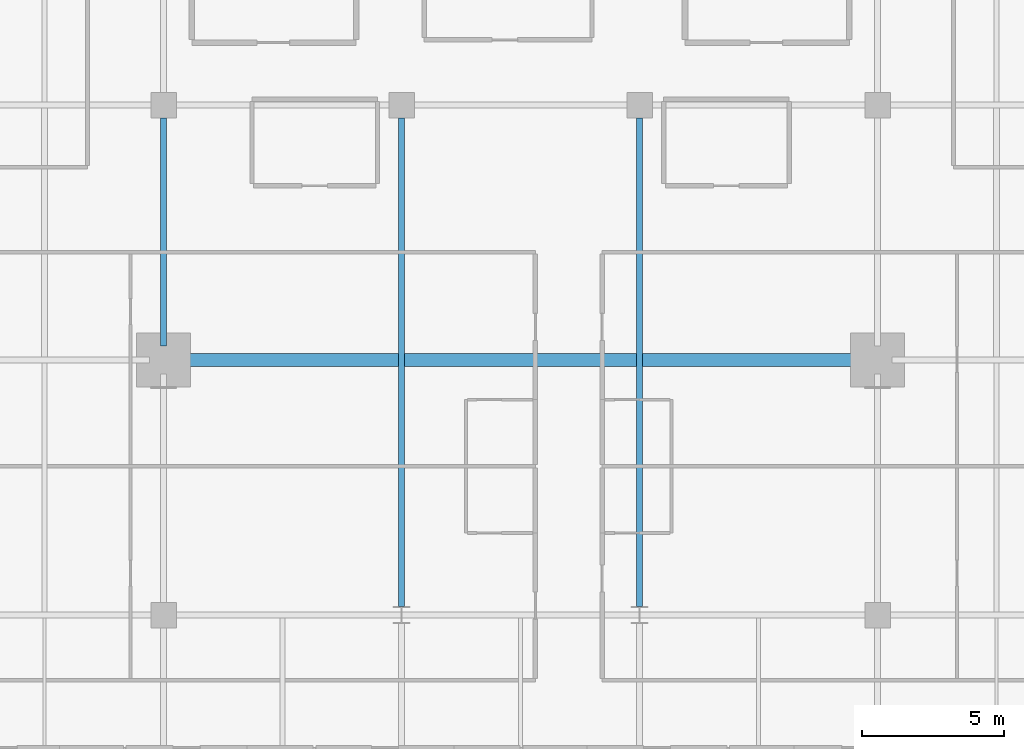
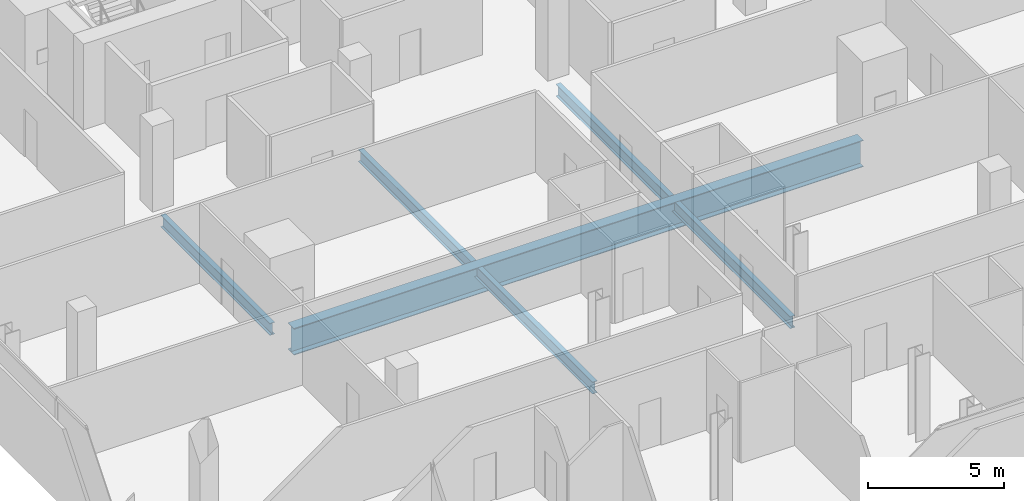
# One storey, part 11 of 33: 4 beams.
"""IFC4 building model written with IfcOpenShell, lengths in metres."""

from ifc_helpers import new_model, si_unit, direction, frame, origin, origin_2d, place, context, subcontext, project, spatial, i_section, extrude, material, material_profile, profile_set, type_object, element, save


model = new_model("IFC4")

# Units and contexts
model_context = context("Model", 3, precision=1e-05, world=origin(), true_north=direction((0.0, 1.0)))
body_context = subcontext(model_context, "Body", "Model", "MODEL_VIEW")
ifc_project = project(units=[si_unit("LENGTHUNIT", "METRE"), si_unit("AREAUNIT", "SQUARE_METRE"), si_unit("VOLUMEUNIT", "CUBIC_METRE"), si_unit("PLANEANGLEUNIT", "RADIAN"), si_unit("MASSUNIT", "GRAM", prefix="KILO")], contexts=[model_context])

# Site, building, storey
site_placement = place(None, origin())
site = spatial("IfcSite", under=ifc_project, at=site_placement, CompositionType="ELEMENT")
building_placement = place(site_placement, origin())
building = spatial("IfcBuilding", under=site, at=building_placement, Name="Maruvema Waterfront Hotel and Observation Tower", CompositionType="ELEMENT")
storey_placement = place(building_placement, frame((0.0, 0.0, 196.699951171875)))
storey = spatial("IfcBuildingStorey", under=building, at=storey_placement, Name="L48", CompositionType="ELEMENT", Elevation=196.699951171875)

# Beams
ifc_material_1 = material(Name="Steel ASTM A572 Grade 50", Category="steel")
ifc_material_profile_1 = material_profile(ifc_material_1, i_section(OverallWidth=0.2109375, OverallDepth=0.5390625, WebThickness=0.01171875, FlangeThickness=0.018798828125, FilletRadius=0.014892578125, at=origin_2d()), Name="W530x109.0")
ifc_profile_set_1 = profile_set([ifc_material_profile_1], Name="Steel ASTM A572 Grade 50")
beam_type_1 = type_object("IfcBeamType", Name="Primary Floor Girder W530x109.0", PredefinedType="BEAM", material=ifc_profile_set_1)
beam_1_placement = place(storey_placement, frame((25.199951171875, 27.5, -0.509521484375), z_axis=(0.0, 1.0, 0.0), x_axis=(-1.0, 0.0, 0.0)))
element("IfcBeam", 1, at=beam_1_placement, inside=storey, type_object=beam_type_1, Name="L48 Floor Girder NS-12", PredefinedType="BEAM", context=body_context, shape_type="SweptSolid", body=[
    extrude(i_section(OverallWidth=0.2109375, OverallDepth=0.5390625, WebThickness=0.01171875, FlangeThickness=0.018798828125, FilletRadius=0.014892578125, at=origin_2d()), origin(), (0.0, 0.0, 1.0), 8.050048828125),
])
for number, where, z_axis, x_axis, name in (
    (2, (33.60009765625, 18.300048828125, -0.509521484375), (0.0, 1.0, 0.0), (-1.0, 0.0, 0.0), "L48 Floor Girder NS-16"),
    (3, (42.0, 18.300048828125, -0.509521484375), (0.0, 1.0, 0.0), (-1.0, 0.0, 0.0), "L48 Floor Girder NS-19"),
):
    element("IfcBeam", number, at=place(storey_placement, frame(where, z_axis=z_axis, x_axis=x_axis)), inside=storey, type_object=beam_type_1, Name=name, PredefinedType="BEAM", context=body_context, shape_type="SweptSolid", body=[
        extrude(i_section(OverallWidth=0.2109375, OverallDepth=0.5390625, WebThickness=0.01171875, FlangeThickness=0.018798828125, FilletRadius=0.014892578125, at=origin_2d()), origin(), (0.0, 0.0, 1.0), 17.25),
    ])
ifc_material_2 = material(Name="Steel ABNT NBR 7007 AR 415 (ASTM A572 Grade 50)", Category="steel")
ifc_material_profile_2 = material_profile(ifc_material_2, i_section(OverallWidth=0.449951171875, OverallDepth=1.199951171875, WebThickness=0.01904296875, FlangeThickness=0.031982421875, at=origin_2d()), Name="VS1200x366")
ifc_profile_set_2 = profile_set([ifc_material_profile_2], Name="Steel ABNT NBR 7007 AR 415 (ASTM A572 Grade 50)")
beam_type_2 = type_object("IfcBeamType", Name="Upper Setback Transfer Girder VS1200x366", PredefinedType="USERDEFINED", material=ifc_profile_set_2)
beam_2_placement = place(storey_placement, frame((25.699951171875, 27.0, -0.83984375), z_axis=(1.0, 0.0, 0.0), x_axis=(0.0, 1.0, 0.0)))
element("IfcBeam", 4, at=beam_2_placement, inside=storey, type_object=beam_type_2, Name="L48 Floor Girder EW-20", ObjectType="TRANSFER GIRDER", PredefinedType="USERDEFINED", context=body_context, shape_type="SweptSolid", body=[
    extrude(i_section(OverallWidth=0.449951171875, OverallDepth=1.199951171875, WebThickness=0.01904296875, FlangeThickness=0.031982421875, at=origin_2d()), origin(), (0.0, 0.0, 1.0), 24.199951171875),
])

save(model, "model.ifc")
